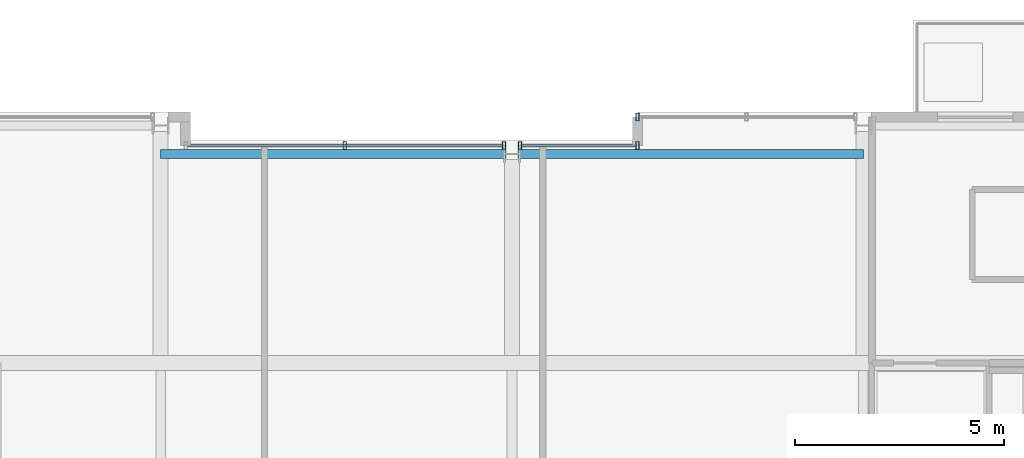
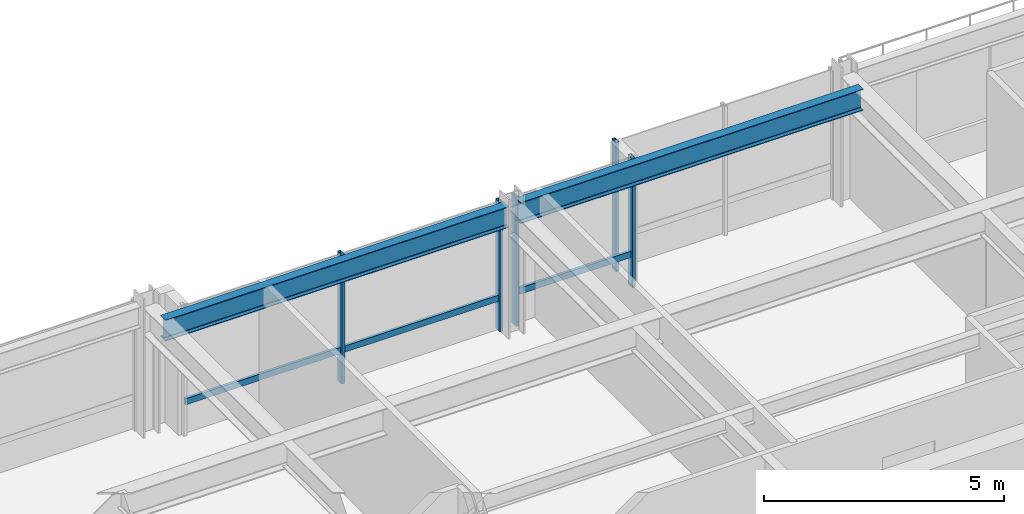
# One storey, part 22 of 33: 7 members, 2 beams, 3 elements without a shape of their own.
"""IFC4 building model written with IfcOpenShell, lengths in metres."""

import ifcopenshell
import ifcopenshell.guid

model = None  # the IFC model being written
_history = None  # IfcOwnerHistory: only IFC2X3 demands one
_inside = {}  # id of a spatial element -> (the spatial element, [elements in it])
_under = {}  # id of a project, library or spatial element -> (it, [spatial elements below it])
_declared = {}  # id of a project -> (the project, [libraries it declares])
_typed = {}  # id of a type object -> (the type object, [elements of that type])
_made_of = {}  # id of a material, layer set ... -> (it, [elements and type objects made of it])


def new_model(schema):
    """Start an empty IFC model of exactly this schema.

    Asked for "IFC4X3", IfcOpenShell would pick the latest addendum, in which some entities
    have other attributes; the version numbers below select the first issue.
    IFC2X3 requires an IfcOwnerHistory on every rooted entity: one is made here for all.
    """
    global model, _history
    if schema == "IFC4X3":
        model = ifcopenshell.file(schema_version=(4, 3, 0, 0))
    else:
        model = ifcopenshell.file(schema=schema)
    _inside.clear()
    _under.clear()
    _declared.clear()
    _typed.clear()
    _made_of.clear()
    _history = None
    if model.schema == "IFC2X3":
        org = make("IfcOrganization", Name="unknown")
        user = make(
            "IfcPersonAndOrganization",
            ThePerson=make("IfcPerson", FamilyName="unknown"),
            TheOrganization=org,
        )
        app = make(
            "IfcApplication",
            ApplicationDeveloper=org,
            Version="unknown",
            ApplicationFullName="unknown",
            ApplicationIdentifier="unknown",
        )
        _history = make(
            "IfcOwnerHistory",
            OwningUser=user,
            OwningApplication=app,
            ChangeAction="ADDED",
            CreationDate=0,
        )
    return model


def make(cls, **values):
    """One entity of the class cls with the attributes given. An attribute that is None is left unset."""
    return model.create_entity(
        cls, **{name: value for name, value in values.items() if value is not None}
    )


def rooted(cls, **values):
    """An entity with a GlobalId (a new one), such as an element, a storey or a relation."""
    return make(cls, GlobalId=ifcopenshell.guid.new(), OwnerHistory=_history, **values)


def si_unit(unit_type, name, prefix=None):
    """IfcSIUnit, for example si_unit("LENGTHUNIT", "METRE", prefix="MILLI")."""
    return make("IfcSIUnit", UnitType=unit_type, Prefix=prefix, Name=name)


def assignment(units):
    """IfcUnitAssignment: the units of a project."""
    return None if units is None else make("IfcUnitAssignment", Units=units)


def point(xyz):
    """IfcCartesianPoint."""
    return None if xyz is None else make("IfcCartesianPoint", Coordinates=xyz)


def direction(xyz):
    """IfcDirection."""
    return None if xyz is None else make("IfcDirection", DirectionRatios=xyz)


def frame(location, z_axis=None, x_axis=None):
    """IfcAxis2Placement3D, a coordinate frame: its origin and axes. An axis left out is left unset."""
    return make(
        "IfcAxis2Placement3D",
        Location=point(location),
        Axis=direction(z_axis),
        RefDirection=direction(x_axis),
    )


def frame_2d(location, x_axis=None):
    """IfcAxis2Placement2D, a coordinate frame in the plane: its origin and x axis."""
    return make(
        "IfcAxis2Placement2D", Location=point(location), RefDirection=direction(x_axis)
    )


def origin():
    """The frame at (0, 0, 0) with its axes left unset."""
    return frame((0.0, 0.0, 0.0))


def origin_2d():
    """The frame at (0, 0) in the plane with its x axis left unset."""
    return frame_2d((0.0, 0.0))


def place(relative_to, where):
    """IfcLocalPlacement: puts the frame where relative to a parent placement (None: the world)."""
    return make(
        "IfcLocalPlacement", PlacementRelTo=relative_to, RelativePlacement=where
    )


def context(
    kind, dimensions, precision=None, world=None, true_north=None, identifier=None
):
    """IfcGeometricRepresentationContext, for example the 3D "Model" context."""
    return make(
        "IfcGeometricRepresentationContext",
        ContextIdentifier=identifier,
        ContextType=kind,
        CoordinateSpaceDimension=dimensions,
        Precision=precision,
        WorldCoordinateSystem=world,
        TrueNorth=true_north,
    )


def subcontext(parent, identifier, kind, view, scale=None):
    """IfcGeometricRepresentationSubContext, for example "Body" below "Model"."""
    return make(
        "IfcGeometricRepresentationSubContext",
        ContextIdentifier=identifier,
        ContextType=kind,
        ParentContext=parent,
        TargetScale=scale,
        TargetView=view,
    )


def project(units=None, contexts=None):
    """IfcProject with its units and contexts."""
    return rooted(
        "IfcProject",
        Name="project",
        RepresentationContexts=contexts,
        UnitsInContext=assignment(units),
    )


def spatial(cls, under=None, at=None, **own):
    """A site, building, storey or space (cls), placed at a placement, below another one or the project."""
    s = rooted(cls, ObjectPlacement=at, **own)
    if under is not None:
        _under.setdefault(under.id(), (under, []))[1].append(s)
    return s


def profile(cls, at=None, kind="AREA", **sizes):
    """A parametric profile (cls). Its sizes go by their IFC names, for example OverallWidth=200.0."""
    return make(cls, ProfileType=kind, Position=at, **sizes)


def hollow_rectangle(**sizes):
    """IfcRectangleHollowProfileDef."""
    return profile("IfcRectangleHollowProfileDef", **sizes)


def i_section(**sizes):
    """IfcIShapeProfileDef."""
    return profile("IfcIShapeProfileDef", **sizes)


def extrude(swept, where, along, depth):
    """IfcExtrudedAreaSolid: the profile swept, set in the frame where, extruded along a direction by depth."""
    return make(
        "IfcExtrudedAreaSolid",
        SweptArea=swept,
        Position=where,
        ExtrudedDirection=direction(along),
        Depth=depth,
    )


def shape(context_of_items, identifier, shape_type, items):
    """IfcShapeRepresentation: the items that make up one representation, for example the "Body"."""
    return make(
        "IfcShapeRepresentation",
        ContextOfItems=context_of_items,
        RepresentationIdentifier=identifier,
        RepresentationType=shape_type,
        Items=items,
    )


def material(Name=None, Category=None):
    """IfcMaterial."""
    return make("IfcMaterial", Name=Name, Category=Category)


def layer(
    of_material, thickness, ventilated=None, Name=None, Category=None, Priority=None
):
    """IfcMaterialLayer: one layer of a wall or slab, of a material (None: an air gap)."""
    return make(
        "IfcMaterialLayer",
        Material=of_material,
        LayerThickness=thickness,
        IsVentilated=ventilated,
        Name=Name,
        Category=Category,
        Priority=Priority,
    )


def layer_set(layers, Name=None):
    """IfcMaterialLayerSet."""
    return make("IfcMaterialLayerSet", MaterialLayers=layers, LayerSetName=Name)


def material_profile(
    of_material, cross_section, Name=None, Category=None, Priority=None
):
    """IfcMaterialProfile: a cross section and its material."""
    return make(
        "IfcMaterialProfile",
        Name=Name,
        Material=of_material,
        Profile=cross_section,
        Priority=Priority,
        Category=Category,
    )


def profile_set(profiles, Name=None, composite=None):
    """IfcMaterialProfileSet."""
    return make(
        "IfcMaterialProfileSet",
        Name=Name,
        MaterialProfiles=profiles,
        CompositeProfile=composite,
    )


def made_of(thing, what):
    """Note that an element or type object is made of a material, layer set ...; save() writes the relation."""
    if what is not None:
        _made_of.setdefault(what.id(), (what, []))[1].append(thing)
    return thing


def type_object(cls, material=None, **own):
    """A type object (cls), such as IfcWallType, which elements share."""
    return made_of(rooted(cls, **own), material)


def element(
    cls,
    number,
    at=None,
    inside=None,
    cuts=None,
    type_object=None,
    material=None,
    context=None,
    identifier="Body",
    shape_type=None,
    held_by="IfcProductDefinitionShape",
    body=None,
    shapes=None,
    **own,
):
    """One element of the class cls, such as IfcWall. Its Tag is "e" and its number.

    at: its placement. inside: the storey or other place that contains it. cuts: it is an
    opening in that element (IfcRelVoidsElement). A single representation is given by context,
    identifier, shape_type and body (its items); several are given by shapes. held_by: the class
    of the entity that holds the representations. save() writes the other relations.
    """
    e = rooted(cls, Tag="e%d" % number, ObjectPlacement=at, **own)
    if body is not None:
        shapes = [shape(context, identifier, shape_type, body)]
    if shapes is not None:
        e.Representation = make(held_by, Representations=shapes)
    if inside is not None:
        _inside.setdefault(inside.id(), (inside, []))[1].append(e)
    if cuts is not None:
        rooted(
            "IfcRelVoidsElement", RelatingBuildingElement=cuts, RelatedOpeningElement=e
        )
    if type_object is not None:
        _typed.setdefault(type_object.id(), (type_object, []))[1].append(e)
    return made_of(e, material)


def aggregate(whole, parts):
    """IfcRelAggregates: a whole, such as a stair, and the parts it consists of."""
    return rooted("IfcRelAggregates", RelatingObject=whole, RelatedObjects=parts)


def save(model, path):
    """Write the relations noted so far, then the file.

    IfcRelAggregates (storeys below a building ...), IfcRelContainedInSpatialStructure (elements
    in a storey), IfcRelDefinesByType, IfcRelAssociatesMaterial and IfcRelDeclares: one each for
    every whole, place, type object, material and project.
    """
    for whole, parts in _under.values():
        aggregate(whole, parts)
    for where, things in _inside.values():
        rooted(
            "IfcRelContainedInSpatialStructure",
            RelatedElements=things,
            RelatingStructure=where,
        )
    for kind, things in _typed.values():
        rooted("IfcRelDefinesByType", RelatedObjects=things, RelatingType=kind)
    for what, things in _made_of.values():
        rooted("IfcRelAssociatesMaterial", RelatedObjects=things, RelatingMaterial=what)
    for by, libraries in _declared.values():
        rooted("IfcRelDeclares", RelatingContext=by, RelatedDefinitions=libraries)
    model.write(path)


model = new_model("IFC4")

# Units and contexts
model_context = context("Model", 3, precision=1e-05, world=origin(), true_north=direction((0.0, 1.0)))
body_context = subcontext(model_context, "Body", "Model", "MODEL_VIEW")
ifc_project = project(units=[si_unit("LENGTHUNIT", "METRE"), si_unit("AREAUNIT", "SQUARE_METRE"), si_unit("VOLUMEUNIT", "CUBIC_METRE"), si_unit("PLANEANGLEUNIT", "RADIAN"), si_unit("MASSUNIT", "GRAM", prefix="KILO")], contexts=[model_context])

# Site, building, storey
site_placement = place(None, origin())
site = spatial("IfcSite", under=ifc_project, at=site_placement, CompositionType="ELEMENT")
building_placement = place(site_placement, origin())
building = spatial("IfcBuilding", under=site, at=building_placement, Name="Drelvath Grand Hotel", CompositionType="ELEMENT")
storey_placement = place(building_placement, frame((0.0, 0.0, 178.800048828125)))
storey = spatial("IfcBuildingStorey", under=building, at=storey_placement, Name="L46", CompositionType="ELEMENT", Elevation=178.800048828125)

# Curtain wall, member
ifc_material_1 = material(Name="Brushed Pale-Silver Anodised Aluminium Frame", Category="aluminium")
ifc_layer = layer(ifc_material_1, 0.199951171875)
ifc_layer_set = layer_set([ifc_layer], Name="Brushed Pale-Silver Anodised Aluminium Frame")
curtain_wall_type = type_object("IfcCurtainWallType", Name="Stick Curtain Wall CW-04 Brushed Silver Upper-Mid", PredefinedType="NOTDEFINED", material=ifc_layer_set)
curtain_wall_1_placement = place(storey_placement, origin())
curtain_wall_1 = element("IfcCurtainWall", 1, at=curtain_wall_1_placement, inside=storey, type_object=curtain_wall_type, Name="L46 CW-04 Curtain Wall CW04-L46-NM1", PredefinedType="NOTDEFINED")
ifc_material_profile_1 = material_profile(ifc_material_1, hollow_rectangle(XDim=0.06494140625, YDim=0.159912109375, WallThickness=0.00390625, at=origin_2d()), Name="HSS160X65X4")
ifc_profile_set_1 = profile_set([ifc_material_profile_1], Name="Brushed Pale-Silver Anodised Aluminium Frame")
member_type_1 = type_object("IfcMemberType", Name="Curtain Wall Horizontal Transom CW-04 HSS160X65X4", PredefinedType="USERDEFINED", material=ifc_profile_set_1)
member_1_placement = place(storey_placement, frame((-7.760009765625, 48.39990234375, 0.822509765625), z_axis=(1.0, 0.0, 0.0), x_axis=(0.0, 1.0, 0.0)))
member_1 = element("IfcMember", 2, at=member_1_placement, type_object=member_type_1, Name="CW04-L46-NM1 Sill Transom", ObjectType="TRANSOM", PredefinedType="USERDEFINED", context=body_context, shape_type="SweptSolid", body=[
    extrude(hollow_rectangle(XDim=0.06494140625, YDim=0.159912109375, WallThickness=0.00390625, at=origin_2d()), origin(), (0.0, 0.0, 1.0), 7.5283203125),
])

curtain_wall_2_placement = place(storey_placement, origin())
curtain_wall_2 = element("IfcCurtainWall", 3, at=curtain_wall_2_placement, inside=storey, type_object=curtain_wall_type, Name="L46 CW-04 Curtain Wall CW04-L46-NM2", PredefinedType="NOTDEFINED")
member_2_placement = place(storey_placement, frame((0.231689453125, 48.39990234375, 0.822509765625), z_axis=(1.0, 0.0, 0.0), x_axis=(0.0, 1.0, 0.0)))
member_2 = element("IfcMember", 4, at=member_2_placement, type_object=member_type_1, Name="CW04-L46-NM2 Sill Transom", ObjectType="TRANSOM", PredefinedType="USERDEFINED", context=body_context, shape_type="SweptSolid", body=[
    extrude(hollow_rectangle(XDim=0.06494140625, YDim=0.159912109375, WallThickness=0.00390625, at=origin_2d()), origin(), (0.0, 0.0, 1.0), 2.728271484375),
])

# Member
ifc_material_profile_2 = material_profile(ifc_material_1, hollow_rectangle(XDim=0.074951171875, YDim=0.179931640625, WallThickness=0.0048828125, at=origin_2d()), Name="HSS180X75X5")
ifc_profile_set_2 = profile_set([ifc_material_profile_2], Name="Brushed Pale-Silver Anodised Aluminium Frame")
member_type_2 = type_object("IfcMemberType", Name="Curtain Wall Vertical Mullion CW-04 HSS180X75X5", PredefinedType="MULLION", material=ifc_profile_set_2)
member_3_placement = place(storey_placement, frame((-3.995849609375, 48.39990234375, 0.0), z_axis=(0.0, 0.0, 1.0), x_axis=(1.0, 0.0, 0.0)))
member_3 = element("IfcMember", 5, at=member_3_placement, type_object=member_type_2, Name="CW04-L46-NM1 Mullion 2", PredefinedType="MULLION", context=body_context, shape_type="SweptSolid", body=[
    extrude(hollow_rectangle(XDim=0.074951171875, YDim=0.179931640625, WallThickness=0.0048828125, at=origin_2d()), origin(), (0.0, 0.0, 1.0), 3.2900390625),
])

member_4_placement = place(storey_placement, frame((-0.191650390625, 48.39990234375, 0.0), z_axis=(0.0, 0.0, 1.0), x_axis=(1.0, 0.0, 0.0)))
member_4 = element("IfcMember", 6, at=member_4_placement, type_object=member_type_2, Name="CW04-L46-NM1 Mullion 3", PredefinedType="MULLION", context=body_context, shape_type="SweptSolid", body=[
    extrude(hollow_rectangle(XDim=0.074951171875, YDim=0.179931640625, WallThickness=0.0048828125, at=origin_2d()), origin(), (0.0, 0.0, 1.0), 3.2900390625),
])

aggregate(curtain_wall_1, [member_3, member_4, member_1])

member_5_placement = place(storey_placement, frame((0.191650390625, 48.39990234375, 0.0), z_axis=(0.0, 0.0, 1.0), x_axis=(1.0, 0.0, 0.0)))
member_5 = element("IfcMember", 7, at=member_5_placement, type_object=member_type_2, Name="CW04-L46-NM2 Mullion 1", PredefinedType="MULLION", context=body_context, shape_type="SweptSolid", body=[
    extrude(hollow_rectangle(XDim=0.074951171875, YDim=0.179931640625, WallThickness=0.0048828125, at=origin_2d()), origin(), (0.0, 0.0, 1.0), 3.2900390625),
])

member_6_placement = place(storey_placement, frame((3.0, 48.39990234375, 0.0), z_axis=(0.0, 0.0, 1.0), x_axis=(1.0, 0.0, 0.0)))
member_6 = element("IfcMember", 8, at=member_6_placement, type_object=member_type_2, Name="CW04-L46-NM2 Mullion 2", PredefinedType="MULLION", context=body_context, shape_type="SweptSolid", body=[
    extrude(hollow_rectangle(XDim=0.074951171875, YDim=0.179931640625, WallThickness=0.0048828125, at=origin_2d()), origin(), (0.0, 0.0, 1.0), 3.2900390625),
])

aggregate(curtain_wall_2, [member_5, member_6, member_2])

# Curtain wall, member
curtain_wall_3_placement = place(storey_placement, origin())
curtain_wall_3 = element("IfcCurtainWall", 9, at=curtain_wall_3_placement, inside=storey, type_object=curtain_wall_type, Name="L46 CW-04 Curtain Wall CW04-L46-NE1", PredefinedType="NOTDEFINED")
member_7_placement = place(storey_placement, frame((3.0, 49.080078125, 0.0), z_axis=(0.0, 0.0, 1.0), x_axis=(1.0, 0.0, 0.0)))
member_7 = element("IfcMember", 10, at=member_7_placement, type_object=member_type_2, Name="CW04-L46-NE1 Mullion 1", PredefinedType="MULLION", context=body_context, shape_type="SweptSolid", body=[
    extrude(hollow_rectangle(XDim=0.074951171875, YDim=0.179931640625, WallThickness=0.0048828125, at=origin_2d()), origin(), (0.0, 0.0, 1.0), 3.2900390625),
])
aggregate(curtain_wall_3, [member_7])

# Beams
ifc_material_2 = material(Name="Steel ASTM A992 Gr 50", Category="steel")
ifc_material_profile_3 = material_profile(ifc_material_2, i_section(OverallWidth=0.210205078125, OverallDepth=0.53662109375, WebThickness=0.010986328125, FlangeThickness=0.017333984375, FilletRadius=0.01806640625, at=origin_2d()), Name="W21X68")
ifc_profile_set_3 = profile_set([ifc_material_profile_3], Name="Steel ASTM A992 Gr 50")
beam_type = type_object("IfcBeamType", Name="Perimeter Spandrel Beam W21X68", PredefinedType="SPANDREL", material=ifc_profile_set_3)
for number, where, z_axis, x_axis, name in (
    (11, (-8.39990234375, 48.199951171875, 3.021728515625), (1.0, 0.0, 0.0), (0.0, 1.0, 0.0), "L46 Spandrel North Mid W"),
    (12, (0.139892578125, 48.199951171875, 3.021728515625), (1.0, 0.0, 0.0), (0.0, 1.0, 0.0), "L46 Spandrel North Mid E"),
):
    element("IfcBeam", number, at=place(storey_placement, frame(where, z_axis=z_axis, x_axis=x_axis)), inside=storey, type_object=beam_type, Name=name, PredefinedType="SPANDREL", context=body_context, shape_type="SweptSolid", body=[
        extrude(i_section(OverallWidth=0.210205078125, OverallDepth=0.53662109375, WebThickness=0.010986328125, FlangeThickness=0.017333984375, FilletRadius=0.01806640625, at=origin_2d()), origin(), (0.0, 0.0, 1.0), 8.260009765625),
    ])

save(model, "model.ifc")
